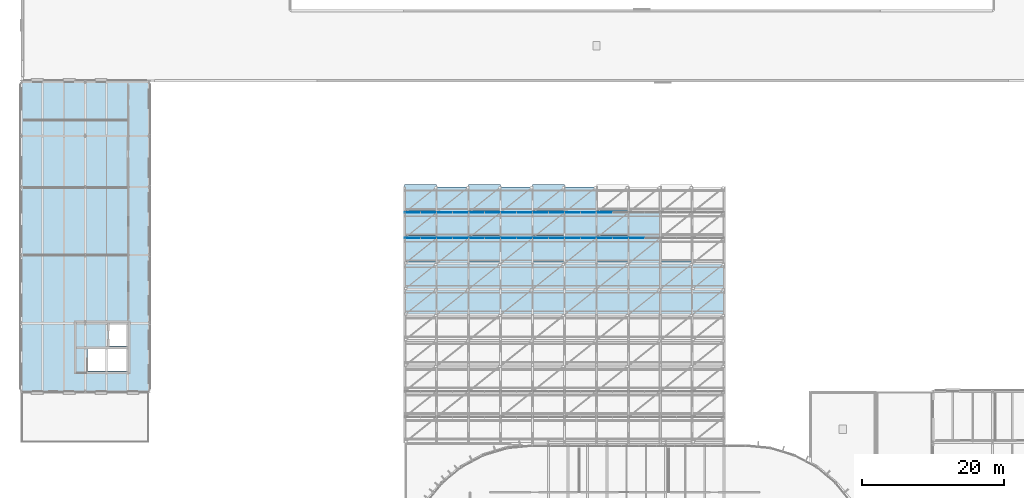
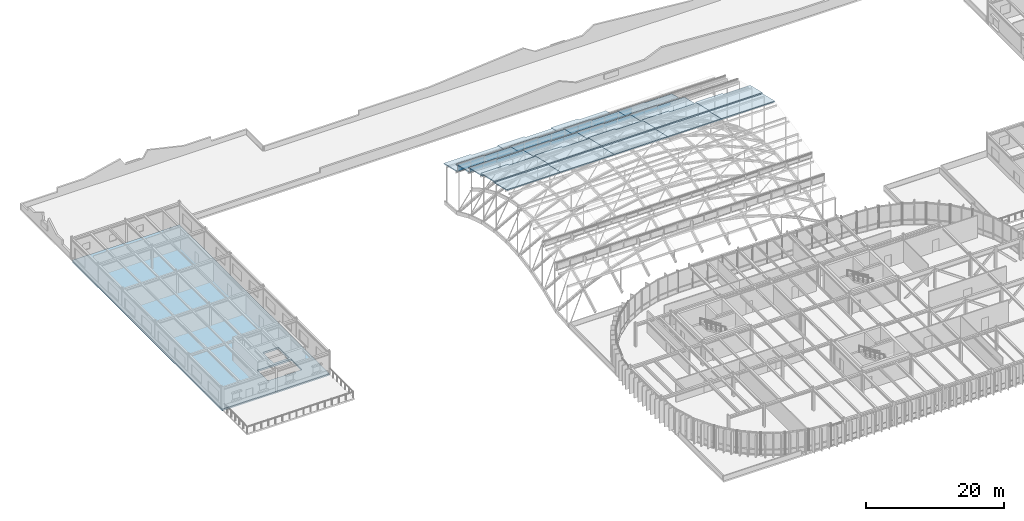
# One storey, part 47 of 69: 28 plates, 22 slabs, 2 openings, 9 elements without a shape of their own.
"""IFC4 building model written with IfcOpenShell, lengths in metres."""

import ifcopenshell
import ifcopenshell.guid

model = None  # the IFC model being written
_history = None  # IfcOwnerHistory: only IFC2X3 demands one
_inside = {}  # id of a spatial element -> (the spatial element, [elements in it])
_under = {}  # id of a project, library or spatial element -> (it, [spatial elements below it])
_declared = {}  # id of a project -> (the project, [libraries it declares])
_typed = {}  # id of a type object -> (the type object, [elements of that type])
_made_of = {}  # id of a material, layer set ... -> (it, [elements and type objects made of it])


def new_model(schema):
    """Start an empty IFC model of exactly this schema.

    Asked for "IFC4X3", IfcOpenShell would pick the latest addendum, in which some entities
    have other attributes; the version numbers below select the first issue.
    IFC2X3 requires an IfcOwnerHistory on every rooted entity: one is made here for all.
    """
    global model, _history
    if schema == "IFC4X3":
        model = ifcopenshell.file(schema_version=(4, 3, 0, 0))
    else:
        model = ifcopenshell.file(schema=schema)
    _inside.clear()
    _under.clear()
    _declared.clear()
    _typed.clear()
    _made_of.clear()
    _history = None
    if model.schema == "IFC2X3":
        org = make("IfcOrganization", Name="unknown")
        user = make(
            "IfcPersonAndOrganization",
            ThePerson=make("IfcPerson", FamilyName="unknown"),
            TheOrganization=org,
        )
        app = make(
            "IfcApplication",
            ApplicationDeveloper=org,
            Version="unknown",
            ApplicationFullName="unknown",
            ApplicationIdentifier="unknown",
        )
        _history = make(
            "IfcOwnerHistory",
            OwningUser=user,
            OwningApplication=app,
            ChangeAction="ADDED",
            CreationDate=0,
        )
    return model


def make(cls, **values):
    """One entity of the class cls with the attributes given. An attribute that is None is left unset."""
    return model.create_entity(
        cls, **{name: value for name, value in values.items() if value is not None}
    )


def rooted(cls, **values):
    """An entity with a GlobalId (a new one), such as an element, a storey or a relation."""
    return make(cls, GlobalId=ifcopenshell.guid.new(), OwnerHistory=_history, **values)


def si_unit(unit_type, name, prefix=None):
    """IfcSIUnit, for example si_unit("LENGTHUNIT", "METRE", prefix="MILLI")."""
    return make("IfcSIUnit", UnitType=unit_type, Prefix=prefix, Name=name)


def assignment(units):
    """IfcUnitAssignment: the units of a project."""
    return None if units is None else make("IfcUnitAssignment", Units=units)


def point(xyz):
    """IfcCartesianPoint."""
    return None if xyz is None else make("IfcCartesianPoint", Coordinates=xyz)


def direction(xyz):
    """IfcDirection."""
    return None if xyz is None else make("IfcDirection", DirectionRatios=xyz)


def frame(location, z_axis=None, x_axis=None):
    """IfcAxis2Placement3D, a coordinate frame: its origin and axes. An axis left out is left unset."""
    return make(
        "IfcAxis2Placement3D",
        Location=point(location),
        Axis=direction(z_axis),
        RefDirection=direction(x_axis),
    )


def frame_2d(location, x_axis=None):
    """IfcAxis2Placement2D, a coordinate frame in the plane: its origin and x axis."""
    return make(
        "IfcAxis2Placement2D", Location=point(location), RefDirection=direction(x_axis)
    )


def origin():
    """The frame at (0, 0, 0) with its axes left unset."""
    return frame((0.0, 0.0, 0.0))


def origin_2d():
    """The frame at (0, 0) in the plane with its x axis left unset."""
    return frame_2d((0.0, 0.0))


def place(relative_to, where):
    """IfcLocalPlacement: puts the frame where relative to a parent placement (None: the world)."""
    return make(
        "IfcLocalPlacement", PlacementRelTo=relative_to, RelativePlacement=where
    )


def context(
    kind, dimensions, precision=None, world=None, true_north=None, identifier=None
):
    """IfcGeometricRepresentationContext, for example the 3D "Model" context."""
    return make(
        "IfcGeometricRepresentationContext",
        ContextIdentifier=identifier,
        ContextType=kind,
        CoordinateSpaceDimension=dimensions,
        Precision=precision,
        WorldCoordinateSystem=world,
        TrueNorth=true_north,
    )


def subcontext(parent, identifier, kind, view, scale=None):
    """IfcGeometricRepresentationSubContext, for example "Body" below "Model"."""
    return make(
        "IfcGeometricRepresentationSubContext",
        ContextIdentifier=identifier,
        ContextType=kind,
        ParentContext=parent,
        TargetScale=scale,
        TargetView=view,
    )


def project(units=None, contexts=None):
    """IfcProject with its units and contexts."""
    return rooted(
        "IfcProject",
        Name="project",
        RepresentationContexts=contexts,
        UnitsInContext=assignment(units),
    )


def spatial(cls, under=None, at=None, **own):
    """A site, building, storey or space (cls), placed at a placement, below another one or the project."""
    s = rooted(cls, ObjectPlacement=at, **own)
    if under is not None:
        _under.setdefault(under.id(), (under, []))[1].append(s)
    return s


def polyline(points):
    """IfcPolyline through the points."""
    return make("IfcPolyline", Points=[point(p) for p in points])


def profile(cls, at=None, kind="AREA", **sizes):
    """A parametric profile (cls). Its sizes go by their IFC names, for example OverallWidth=200.0."""
    return make(cls, ProfileType=kind, Position=at, **sizes)


def rectangle(**sizes):
    """IfcRectangleProfileDef."""
    return profile("IfcRectangleProfileDef", **sizes)


def outline(outer, holes=None, kind="AREA"):
    """IfcArbitraryClosedProfileDef: a profile drawn as a closed curve; with holes, ...WithVoids."""
    if holes is None:
        return make("IfcArbitraryClosedProfileDef", ProfileType=kind, OuterCurve=outer)
    return make(
        "IfcArbitraryProfileDefWithVoids",
        ProfileType=kind,
        OuterCurve=outer,
        InnerCurves=holes,
    )


def extrude(swept, where, along, depth):
    """IfcExtrudedAreaSolid: the profile swept, set in the frame where, extruded along a direction by depth."""
    return make(
        "IfcExtrudedAreaSolid",
        SweptArea=swept,
        Position=where,
        ExtrudedDirection=direction(along),
        Depth=depth,
    )


def shape(context_of_items, identifier, shape_type, items):
    """IfcShapeRepresentation: the items that make up one representation, for example the "Body"."""
    return make(
        "IfcShapeRepresentation",
        ContextOfItems=context_of_items,
        RepresentationIdentifier=identifier,
        RepresentationType=shape_type,
        Items=items,
    )


def material(Name=None, Category=None):
    """IfcMaterial."""
    return make("IfcMaterial", Name=Name, Category=Category)


def layer(
    of_material, thickness, ventilated=None, Name=None, Category=None, Priority=None
):
    """IfcMaterialLayer: one layer of a wall or slab, of a material (None: an air gap)."""
    return make(
        "IfcMaterialLayer",
        Material=of_material,
        LayerThickness=thickness,
        IsVentilated=ventilated,
        Name=Name,
        Category=Category,
        Priority=Priority,
    )


def layer_set(layers, Name=None):
    """IfcMaterialLayerSet."""
    return make("IfcMaterialLayerSet", MaterialLayers=layers, LayerSetName=Name)


def made_of(thing, what):
    """Note that an element or type object is made of a material, layer set ...; save() writes the relation."""
    if what is not None:
        _made_of.setdefault(what.id(), (what, []))[1].append(thing)
    return thing


def type_object(cls, material=None, **own):
    """A type object (cls), such as IfcWallType, which elements share."""
    return made_of(rooted(cls, **own), material)


def element(
    cls,
    number,
    at=None,
    inside=None,
    cuts=None,
    type_object=None,
    material=None,
    context=None,
    identifier="Body",
    shape_type=None,
    held_by="IfcProductDefinitionShape",
    body=None,
    shapes=None,
    **own,
):
    """One element of the class cls, such as IfcWall. Its Tag is "e" and its number.

    at: its placement. inside: the storey or other place that contains it. cuts: it is an
    opening in that element (IfcRelVoidsElement). A single representation is given by context,
    identifier, shape_type and body (its items); several are given by shapes. held_by: the class
    of the entity that holds the representations. save() writes the other relations.
    """
    e = rooted(cls, Tag="e%d" % number, ObjectPlacement=at, **own)
    if body is not None:
        shapes = [shape(context, identifier, shape_type, body)]
    if shapes is not None:
        e.Representation = make(held_by, Representations=shapes)
    if inside is not None:
        _inside.setdefault(inside.id(), (inside, []))[1].append(e)
    if cuts is not None:
        rooted(
            "IfcRelVoidsElement", RelatingBuildingElement=cuts, RelatedOpeningElement=e
        )
    if type_object is not None:
        _typed.setdefault(type_object.id(), (type_object, []))[1].append(e)
    return made_of(e, material)


def aggregate(whole, parts):
    """IfcRelAggregates: a whole, such as a stair, and the parts it consists of."""
    return rooted("IfcRelAggregates", RelatingObject=whole, RelatedObjects=parts)


def save(model, path):
    """Write the relations noted so far, then the file.

    IfcRelAggregates (storeys below a building ...), IfcRelContainedInSpatialStructure (elements
    in a storey), IfcRelDefinesByType, IfcRelAssociatesMaterial and IfcRelDeclares: one each for
    every whole, place, type object, material and project.
    """
    for whole, parts in _under.values():
        aggregate(whole, parts)
    for where, things in _inside.values():
        rooted(
            "IfcRelContainedInSpatialStructure",
            RelatedElements=things,
            RelatingStructure=where,
        )
    for kind, things in _typed.values():
        rooted("IfcRelDefinesByType", RelatedObjects=things, RelatingType=kind)
    for what, things in _made_of.values():
        rooted("IfcRelAssociatesMaterial", RelatedObjects=things, RelatingMaterial=what)
    for by, libraries in _declared.values():
        rooted("IfcRelDeclares", RelatingContext=by, RelatedDefinitions=libraries)
    model.write(path)


model = new_model("IFC4")

# Units and contexts
model_context = context("Model", 3, precision=1e-05, world=origin(), true_north=direction((0.0, 1.0)))
body_context = subcontext(model_context, "Body", "Model", "MODEL_VIEW")
ifc_project = project(units=[si_unit("LENGTHUNIT", "METRE"), si_unit("AREAUNIT", "SQUARE_METRE"), si_unit("VOLUMEUNIT", "CUBIC_METRE"), si_unit("PLANEANGLEUNIT", "RADIAN"), si_unit("MASSUNIT", "GRAM", prefix="KILO")], contexts=[model_context])

# Site, building, storey
site_placement = place(None, origin())
site = spatial("IfcSite", under=ifc_project, at=site_placement, CompositionType="ELEMENT")
building_placement = place(site_placement, origin())
building = spatial("IfcBuilding", under=site, at=building_placement, Name="Montealbar Specialist Clinic", CompositionType="ELEMENT")
storey_placement = place(building_placement, frame((0.0, 0.0, 9.60009765625)))
storey = spatial("IfcBuildingStorey", under=building, at=storey_placement, Name="L02", CompositionType="ELEMENT", Elevation=9.60009765625)

# Curtain wall, plates
ifc_material_1 = material(Name="Low-E double glazing", Category="glass")
ifc_layer_1 = layer(ifc_material_1, 0.199951171875, Name="Low-E double glazing", Category="glass")
ifc_layer_set_1 = layer_set([ifc_layer_1], Name="Low-E double glazing")
curtain_wall_type_1 = type_object("IfcCurtainWallType", Name="CW-TYPE-48", PredefinedType="NOTDEFINED", material=ifc_layer_set_1)
curtain_wall_1_placement = place(storey_placement, origin())
curtain_wall_1 = element("IfcCurtainWall", 1, at=curtain_wall_1_placement, inside=storey, type_object=curtain_wall_type_1, Name="Unitised Curtain Wall CW-L02-540-738-630-738-196", PredefinedType="NOTDEFINED")
ifc_layer_2 = layer(ifc_material_1, 0.028076171875, Name="Low-E double glazing", Category="glass")
ifc_layer_set_2 = layer_set([ifc_layer_2], Name="Low-E double glazing")
plate_type = type_object("IfcPlateType", Name="CW-PNL-IGU28", PredefinedType="CURTAIN_PANEL", material=ifc_layer_set_2)
plate_1_placement = place(storey_placement, frame((55.125, 73.800048828125, 10.044921875), z_axis=(0.0, 0.0, 1.0), x_axis=(1.0, 0.0, 0.0)))
plate_1 = element("IfcPlate", 2, at=plate_1_placement, type_object=plate_type, Name="Glazed Curtain Panel CW-L02-540-738-630-738-196-1-1", PredefinedType="CURTAIN_PANEL", context=body_context, shape_type="SweptSolid", body=[
    extrude(rectangle(XDim=2.177978515625, YDim=0.028076171875, at=origin_2d()), origin(), (0.0, 0.0, 1.0), 0.6640625),
])
plate_2_placement = place(storey_placement, frame((57.375, 73.800048828125, 10.044921875), z_axis=(0.0, 0.0, 1.0), x_axis=(1.0, 0.0, 0.0)))
plate_2 = element("IfcPlate", 3, at=plate_2_placement, type_object=plate_type, Name="Glazed Curtain Panel CW-L02-540-738-630-738-196-2-1", PredefinedType="CURTAIN_PANEL", context=body_context, shape_type="SweptSolid", body=[
    extrude(rectangle(XDim=2.177978515625, YDim=0.028076171875, at=origin_2d()), origin(), (0.0, 0.0, 1.0), 0.6640625),
])
plate_3_placement = place(storey_placement, frame((59.625, 73.800048828125, 10.044921875), z_axis=(0.0, 0.0, 1.0), x_axis=(1.0, 0.0, 0.0)))
plate_3 = element("IfcPlate", 4, at=plate_3_placement, type_object=plate_type, Name="Glazed Curtain Panel CW-L02-540-738-630-738-196-3-1", PredefinedType="CURTAIN_PANEL", context=body_context, shape_type="SweptSolid", body=[
    extrude(rectangle(XDim=2.177978515625, YDim=0.028076171875, at=origin_2d()), origin(), (0.0, 0.0, 1.0), 0.6640625),
])
plate_4_placement = place(storey_placement, frame((61.875, 73.800048828125, 10.044921875), z_axis=(0.0, 0.0, 1.0), x_axis=(1.0, 0.0, 0.0)))
plate_4 = element("IfcPlate", 5, at=plate_4_placement, type_object=plate_type, Name="Glazed Curtain Panel CW-L02-540-738-630-738-196-4-1", PredefinedType="CURTAIN_PANEL", context=body_context, shape_type="SweptSolid", body=[
    extrude(rectangle(XDim=2.177978515625, YDim=0.028076171875, at=origin_2d()), origin(), (0.0, 0.0, 1.0), 0.6640625),
])
aggregate(curtain_wall_1, [plate_1, plate_2, plate_3, plate_4])

curtain_wall_2_placement = place(storey_placement, origin())
curtain_wall_2 = element("IfcCurtainWall", 6, at=curtain_wall_2_placement, inside=storey, type_object=curtain_wall_type_1, Name="Unitised Curtain Wall CW-L02-630-738-720-738-196", PredefinedType="NOTDEFINED")
plate_5_placement = place(storey_placement, frame((64.125, 73.800048828125, 10.044921875), z_axis=(0.0, 0.0, 1.0), x_axis=(1.0, 0.0, 0.0)))
plate_5 = element("IfcPlate", 7, at=plate_5_placement, type_object=plate_type, Name="Glazed Curtain Panel CW-L02-630-738-720-738-196-1-1", PredefinedType="CURTAIN_PANEL", context=body_context, shape_type="SweptSolid", body=[
    extrude(rectangle(XDim=2.177978515625, YDim=0.028076171875, at=origin_2d()), origin(), (0.0, 0.0, 1.0), 0.6640625),
])
plate_6_placement = place(storey_placement, frame((66.375, 73.800048828125, 10.044921875), z_axis=(0.0, 0.0, 1.0), x_axis=(1.0, 0.0, 0.0)))
plate_6 = element("IfcPlate", 8, at=plate_6_placement, type_object=plate_type, Name="Glazed Curtain Panel CW-L02-630-738-720-738-196-2-1", PredefinedType="CURTAIN_PANEL", context=body_context, shape_type="SweptSolid", body=[
    extrude(rectangle(XDim=2.177978515625, YDim=0.028076171875, at=origin_2d()), origin(), (0.0, 0.0, 1.0), 0.6640625),
])
plate_7_placement = place(storey_placement, frame((68.625, 73.800048828125, 10.044921875), z_axis=(0.0, 0.0, 1.0), x_axis=(1.0, 0.0, 0.0)))
plate_7 = element("IfcPlate", 9, at=plate_7_placement, type_object=plate_type, Name="Glazed Curtain Panel CW-L02-630-738-720-738-196-3-1", PredefinedType="CURTAIN_PANEL", context=body_context, shape_type="SweptSolid", body=[
    extrude(rectangle(XDim=2.177978515625, YDim=0.028076171875, at=origin_2d()), origin(), (0.0, 0.0, 1.0), 0.6640625),
])
plate_8_placement = place(storey_placement, frame((70.875, 73.800048828125, 10.044921875), z_axis=(0.0, 0.0, 1.0), x_axis=(1.0, 0.0, 0.0)))
plate_8 = element("IfcPlate", 10, at=plate_8_placement, type_object=plate_type, Name="Glazed Curtain Panel CW-L02-630-738-720-738-196-4-1", PredefinedType="CURTAIN_PANEL", context=body_context, shape_type="SweptSolid", body=[
    extrude(rectangle(XDim=2.177978515625, YDim=0.028076171875, at=origin_2d()), origin(), (0.0, 0.0, 1.0), 0.6640625),
])
aggregate(curtain_wall_2, [plate_5, plate_6, plate_7, plate_8])

curtain_wall_3_placement = place(storey_placement, origin())
curtain_wall_3 = element("IfcCurtainWall", 11, at=curtain_wall_3_placement, inside=storey, type_object=curtain_wall_type_1, Name="Unitised Curtain Wall CW-L02-720-738-810-738-196", PredefinedType="NOTDEFINED")
plate_9_placement = place(storey_placement, frame((73.125, 73.800048828125, 10.044921875), z_axis=(0.0, 0.0, 1.0), x_axis=(1.0, 0.0, 0.0)))
plate_9 = element("IfcPlate", 12, at=plate_9_placement, type_object=plate_type, Name="Glazed Curtain Panel CW-L02-720-738-810-738-196-1-1", PredefinedType="CURTAIN_PANEL", context=body_context, shape_type="SweptSolid", body=[
    extrude(rectangle(XDim=2.177978515625, YDim=0.028076171875, at=origin_2d()), origin(), (0.0, 0.0, 1.0), 0.6640625),
])
plate_10_placement = place(storey_placement, frame((75.375, 73.800048828125, 10.044921875), z_axis=(0.0, 0.0, 1.0), x_axis=(1.0, 0.0, 0.0)))
plate_10 = element("IfcPlate", 13, at=plate_10_placement, type_object=plate_type, Name="Glazed Curtain Panel CW-L02-720-738-810-738-196-2-1", PredefinedType="CURTAIN_PANEL", context=body_context, shape_type="SweptSolid", body=[
    extrude(rectangle(XDim=2.177978515625, YDim=0.028076171875, at=origin_2d()), origin(), (0.0, 0.0, 1.0), 0.6640625),
])
plate_11_placement = place(storey_placement, frame((77.625, 73.800048828125, 10.044921875), z_axis=(0.0, 0.0, 1.0), x_axis=(1.0, 0.0, 0.0)))
plate_11 = element("IfcPlate", 14, at=plate_11_placement, type_object=plate_type, Name="Glazed Curtain Panel CW-L02-720-738-810-738-196-3-1", PredefinedType="CURTAIN_PANEL", context=body_context, shape_type="SweptSolid", body=[
    extrude(rectangle(XDim=2.177978515625, YDim=0.028076171875, at=origin_2d()), origin(), (0.0, 0.0, 1.0), 0.6640625),
])
plate_12_placement = place(storey_placement, frame((79.875, 73.800048828125, 10.044921875), z_axis=(0.0, 0.0, 1.0), x_axis=(1.0, 0.0, 0.0)))
plate_12 = element("IfcPlate", 15, at=plate_12_placement, type_object=plate_type, Name="Glazed Curtain Panel CW-L02-720-738-810-738-196-4-1", PredefinedType="CURTAIN_PANEL", context=body_context, shape_type="SweptSolid", body=[
    extrude(rectangle(XDim=2.177978515625, YDim=0.028076171875, at=origin_2d()), origin(), (0.0, 0.0, 1.0), 0.6640625),
])
aggregate(curtain_wall_3, [plate_9, plate_10, plate_11, plate_12])

curtain_wall_4_placement = place(storey_placement, origin())
curtain_wall_4 = element("IfcCurtainWall", 16, at=curtain_wall_4_placement, inside=storey, type_object=curtain_wall_type_1, Name="Unitised Curtain Wall CW-L02-810-738-900-738-196", PredefinedType="NOTDEFINED")
plate_13_placement = place(storey_placement, frame((82.125, 73.800048828125, 10.044921875), z_axis=(0.0, 0.0, 1.0), x_axis=(1.0, 0.0, 0.0)))
plate_13 = element("IfcPlate", 17, at=plate_13_placement, type_object=plate_type, Name="Glazed Curtain Panel CW-L02-810-738-900-738-196-1-1", PredefinedType="CURTAIN_PANEL", context=body_context, shape_type="SweptSolid", body=[
    extrude(rectangle(XDim=2.177978515625, YDim=0.028076171875, at=origin_2d()), origin(), (0.0, 0.0, 1.0), 0.6640625),
])
plate_14_placement = place(storey_placement, frame((84.375, 73.800048828125, 10.044921875), z_axis=(0.0, 0.0, 1.0), x_axis=(1.0, 0.0, 0.0)))
plate_14 = element("IfcPlate", 18, at=plate_14_placement, type_object=plate_type, Name="Glazed Curtain Panel CW-L02-810-738-900-738-196-2-1", PredefinedType="CURTAIN_PANEL", context=body_context, shape_type="SweptSolid", body=[
    extrude(rectangle(XDim=2.177978515625, YDim=0.028076171875, at=origin_2d()), origin(), (0.0, 0.0, 1.0), 0.6640625),
])
plate_15_placement = place(storey_placement, frame((86.625, 73.800048828125, 10.044921875), z_axis=(0.0, 0.0, 1.0), x_axis=(1.0, 0.0, 0.0)))
plate_15 = element("IfcPlate", 19, at=plate_15_placement, type_object=plate_type, Name="Glazed Curtain Panel CW-L02-810-738-900-738-196-3-1", PredefinedType="CURTAIN_PANEL", context=body_context, shape_type="SweptSolid", body=[
    extrude(rectangle(XDim=2.177978515625, YDim=0.028076171875, at=origin_2d()), origin(), (0.0, 0.0, 1.0), 0.6640625),
])
aggregate(curtain_wall_4, [plate_13, plate_14, plate_15])

ifc_layer_3 = layer(ifc_material_1, 0.199951171875, Name="Low-E double glazing", Category="glass")
ifc_layer_set_3 = layer_set([ifc_layer_3], Name="Low-E double glazing")
curtain_wall_type_2 = type_object("IfcCurtainWallType", Name="CW-TYPE-47", PredefinedType="NOTDEFINED", material=ifc_layer_set_3)
curtain_wall_5_placement = place(storey_placement, origin())
curtain_wall_5 = element("IfcCurtainWall", 20, at=curtain_wall_5_placement, inside=storey, type_object=curtain_wall_type_2, Name="Unitised Curtain Wall CW-L02-540-774-630-774-175", PredefinedType="NOTDEFINED")
plate_16_placement = place(storey_placement, frame((55.125, 77.39990234375, 8.00439453125), z_axis=(0.0, 0.0, 1.0), x_axis=(1.0, 0.0, 0.0)))
plate_16 = element("IfcPlate", 21, at=plate_16_placement, type_object=plate_type, Name="Glazed Curtain Panel CW-L02-540-774-630-774-175-1-1", PredefinedType="CURTAIN_PANEL", context=body_context, shape_type="SweptSolid", body=[
    extrude(rectangle(XDim=2.177978515625, YDim=0.028076171875, at=origin_2d()), origin(), (0.0, 0.0, 1.0), 1.116943359375),
])
plate_17_placement = place(storey_placement, frame((57.375, 77.39990234375, 8.00439453125), z_axis=(0.0, 0.0, 1.0), x_axis=(1.0, 0.0, 0.0)))
plate_17 = element("IfcPlate", 22, at=plate_17_placement, type_object=plate_type, Name="Glazed Curtain Panel CW-L02-540-774-630-774-175-2-1", PredefinedType="CURTAIN_PANEL", context=body_context, shape_type="SweptSolid", body=[
    extrude(rectangle(XDim=2.177978515625, YDim=0.028076171875, at=origin_2d()), origin(), (0.0, 0.0, 1.0), 1.116943359375),
])
plate_18_placement = place(storey_placement, frame((59.625, 77.39990234375, 8.00439453125), z_axis=(0.0, 0.0, 1.0), x_axis=(1.0, 0.0, 0.0)))
plate_18 = element("IfcPlate", 23, at=plate_18_placement, type_object=plate_type, Name="Glazed Curtain Panel CW-L02-540-774-630-774-175-3-1", PredefinedType="CURTAIN_PANEL", context=body_context, shape_type="SweptSolid", body=[
    extrude(rectangle(XDim=2.177978515625, YDim=0.028076171875, at=origin_2d()), origin(), (0.0, 0.0, 1.0), 1.116943359375),
])
plate_19_placement = place(storey_placement, frame((61.875, 77.39990234375, 8.00439453125), z_axis=(0.0, 0.0, 1.0), x_axis=(1.0, 0.0, 0.0)))
plate_19 = element("IfcPlate", 24, at=plate_19_placement, type_object=plate_type, Name="Glazed Curtain Panel CW-L02-540-774-630-774-175-4-1", PredefinedType="CURTAIN_PANEL", context=body_context, shape_type="SweptSolid", body=[
    extrude(rectangle(XDim=2.177978515625, YDim=0.028076171875, at=origin_2d()), origin(), (0.0, 0.0, 1.0), 1.116943359375),
])
aggregate(curtain_wall_5, [plate_16, plate_17, plate_18, plate_19])

curtain_wall_6_placement = place(storey_placement, origin())
curtain_wall_6 = element("IfcCurtainWall", 25, at=curtain_wall_6_placement, inside=storey, type_object=curtain_wall_type_2, Name="Unitised Curtain Wall CW-L02-630-774-720-774-175", PredefinedType="NOTDEFINED")
plate_20_placement = place(storey_placement, frame((64.125, 77.39990234375, 8.00439453125), z_axis=(0.0, 0.0, 1.0), x_axis=(1.0, 0.0, 0.0)))
plate_20 = element("IfcPlate", 26, at=plate_20_placement, type_object=plate_type, Name="Glazed Curtain Panel CW-L02-630-774-720-774-175-1-1", PredefinedType="CURTAIN_PANEL", context=body_context, shape_type="SweptSolid", body=[
    extrude(rectangle(XDim=2.177978515625, YDim=0.028076171875, at=origin_2d()), origin(), (0.0, 0.0, 1.0), 1.116943359375),
])
plate_21_placement = place(storey_placement, frame((66.375, 77.39990234375, 8.00439453125), z_axis=(0.0, 0.0, 1.0), x_axis=(1.0, 0.0, 0.0)))
plate_21 = element("IfcPlate", 27, at=plate_21_placement, type_object=plate_type, Name="Glazed Curtain Panel CW-L02-630-774-720-774-175-2-1", PredefinedType="CURTAIN_PANEL", context=body_context, shape_type="SweptSolid", body=[
    extrude(rectangle(XDim=2.177978515625, YDim=0.028076171875, at=origin_2d()), origin(), (0.0, 0.0, 1.0), 1.116943359375),
])
plate_22_placement = place(storey_placement, frame((68.625, 77.39990234375, 8.00439453125), z_axis=(0.0, 0.0, 1.0), x_axis=(1.0, 0.0, 0.0)))
plate_22 = element("IfcPlate", 28, at=plate_22_placement, type_object=plate_type, Name="Glazed Curtain Panel CW-L02-630-774-720-774-175-3-1", PredefinedType="CURTAIN_PANEL", context=body_context, shape_type="SweptSolid", body=[
    extrude(rectangle(XDim=2.177978515625, YDim=0.028076171875, at=origin_2d()), origin(), (0.0, 0.0, 1.0), 1.116943359375),
])
plate_23_placement = place(storey_placement, frame((70.875, 77.39990234375, 8.00439453125), z_axis=(0.0, 0.0, 1.0), x_axis=(1.0, 0.0, 0.0)))
plate_23 = element("IfcPlate", 29, at=plate_23_placement, type_object=plate_type, Name="Glazed Curtain Panel CW-L02-630-774-720-774-175-4-1", PredefinedType="CURTAIN_PANEL", context=body_context, shape_type="SweptSolid", body=[
    extrude(rectangle(XDim=2.177978515625, YDim=0.028076171875, at=origin_2d()), origin(), (0.0, 0.0, 1.0), 1.116943359375),
])
aggregate(curtain_wall_6, [plate_20, plate_21, plate_22, plate_23])

curtain_wall_7_placement = place(storey_placement, origin())
curtain_wall_7 = element("IfcCurtainWall", 30, at=curtain_wall_7_placement, inside=storey, type_object=curtain_wall_type_2, Name="Unitised Curtain Wall CW-L02-720-774-810-774-175", PredefinedType="NOTDEFINED")
plate_24_placement = place(storey_placement, frame((73.125, 77.39990234375, 8.00439453125), z_axis=(0.0, 0.0, 1.0), x_axis=(1.0, 0.0, 0.0)))
plate_24 = element("IfcPlate", 31, at=plate_24_placement, type_object=plate_type, Name="Glazed Curtain Panel CW-L02-720-774-810-774-175-1-1", PredefinedType="CURTAIN_PANEL", context=body_context, shape_type="SweptSolid", body=[
    extrude(rectangle(XDim=2.177978515625, YDim=0.028076171875, at=origin_2d()), origin(), (0.0, 0.0, 1.0), 1.116943359375),
])
plate_25_placement = place(storey_placement, frame((75.375, 77.39990234375, 8.00439453125), z_axis=(0.0, 0.0, 1.0), x_axis=(1.0, 0.0, 0.0)))
plate_25 = element("IfcPlate", 32, at=plate_25_placement, type_object=plate_type, Name="Glazed Curtain Panel CW-L02-720-774-810-774-175-2-1", PredefinedType="CURTAIN_PANEL", context=body_context, shape_type="SweptSolid", body=[
    extrude(rectangle(XDim=2.177978515625, YDim=0.028076171875, at=origin_2d()), origin(), (0.0, 0.0, 1.0), 1.116943359375),
])
plate_26_placement = place(storey_placement, frame((77.625, 77.39990234375, 8.00439453125), z_axis=(0.0, 0.0, 1.0), x_axis=(1.0, 0.0, 0.0)))
plate_26 = element("IfcPlate", 33, at=plate_26_placement, type_object=plate_type, Name="Glazed Curtain Panel CW-L02-720-774-810-774-175-3-1", PredefinedType="CURTAIN_PANEL", context=body_context, shape_type="SweptSolid", body=[
    extrude(rectangle(XDim=2.177978515625, YDim=0.028076171875, at=origin_2d()), origin(), (0.0, 0.0, 1.0), 1.116943359375),
])
plate_27_placement = place(storey_placement, frame((79.875, 77.39990234375, 8.00439453125), z_axis=(0.0, 0.0, 1.0), x_axis=(1.0, 0.0, 0.0)))
plate_27 = element("IfcPlate", 34, at=plate_27_placement, type_object=plate_type, Name="Glazed Curtain Panel CW-L02-720-774-810-774-175-4-1", PredefinedType="CURTAIN_PANEL", context=body_context, shape_type="SweptSolid", body=[
    extrude(rectangle(XDim=2.177978515625, YDim=0.028076171875, at=origin_2d()), origin(), (0.0, 0.0, 1.0), 1.116943359375),
])
aggregate(curtain_wall_7, [plate_24, plate_25, plate_26, plate_27])

# Curtain wall, plate
curtain_wall_8_placement = place(storey_placement, origin())
curtain_wall_8 = element("IfcCurtainWall", 35, at=curtain_wall_8_placement, inside=storey, type_object=curtain_wall_type_2, Name="Unitised Curtain Wall CW-L02-810-774-900-774-175", PredefinedType="NOTDEFINED")
plate_28_placement = place(storey_placement, frame((82.125, 77.39990234375, 8.00439453125), z_axis=(0.0, 0.0, 1.0), x_axis=(1.0, 0.0, 0.0)))
plate_28 = element("IfcPlate", 36, at=plate_28_placement, type_object=plate_type, Name="Glazed Curtain Panel CW-L02-810-774-900-774-175-1-1", PredefinedType="CURTAIN_PANEL", context=body_context, shape_type="SweptSolid", body=[
    extrude(rectangle(XDim=2.177978515625, YDim=0.028076171875, at=origin_2d()), origin(), (0.0, 0.0, 1.0), 1.116943359375),
])
aggregate(curtain_wall_8, [plate_28])

# Slab, openings
ifc_material_2 = material(Name="Concrete C35/45", Category="concrete")
ifc_layer_4 = layer(ifc_material_2, 0.320068359375, Name="Concrete C35/45", Category="concrete")
ifc_layer_set_4 = layer_set([ifc_layer_4], Name="Concrete C35/45")
slab_type_1 = type_object("IfcSlabType", Name="SL-FLR-280", PredefinedType="FLOOR", material=ifc_layer_set_4)
slab_1_placement = place(storey_placement, frame((0.0, 0.0, -0.320068359375)))
slab_1 = element("IfcSlab", 37, at=slab_1_placement, inside=storey, type_object=slab_type_1, Name="Structural Slab L02 Wing 3", PredefinedType="FLOOR", context=body_context, shape_type="SweptSolid", body=[
    extrude(outline(polyline([(18.0, 52.199951171875), (0.0, 52.199951171875), (0.0, 95.800048828125), (18.0, 95.800048828125), (18.0, 52.199951171875)]), holes=[polyline([(15.050048828125, 58.199951171875), (9.35009765625, 58.199951171875), (9.35009765625, 55.10009765625), (15.050048828125, 55.10009765625), (15.050048828125, 58.199951171875)]), polyline([(14.902099609375, 61.701904296875), (12.298095703125, 61.701904296875), (12.298095703125, 58.597900390625), (14.902099609375, 58.597900390625), (14.902099609375, 61.701904296875)])]), origin(), (0.0, 0.0, 1.0), 0.320068359375),
])
opening_1_placement = place(slab_1_placement, frame((12.2001953125, 56.64990234375, -0.010009765625)))
element("IfcOpeningElement", 38, at=opening_1_placement, cuts=slab_1, Name="Opening STAIRVOID-C1-L02-1", PredefinedType="OPENING", context=body_context, shape_type="SweptSolid", body=[
    extrude(rectangle(XDim=5.696044921875, YDim=3.095947265625, at=origin_2d()), origin(), (0.0, 0.0, 1.0), 0.340087890625),
])
opening_2_placement = place(slab_1_placement, frame((13.60009765625, 60.14990234375, -0.010009765625)))
element("IfcOpeningElement", 39, at=opening_2_placement, cuts=slab_1, Name="Opening LIFTSHAFT-LF-01-L02", PredefinedType="OPENING", context=body_context, shape_type="SweptSolid", body=[
    extrude(rectangle(XDim=2.60009765625, YDim=3.10009765625, at=origin_2d()), origin(), (0.0, 0.0, 1.0), 0.340087890625),
])

# Roof, slabs
ifc_material_3 = material(Name="Glulam GL28h", Category="wood")
roof_type = type_object("IfcRoofType", Name="ROOF-GRIDSHELL", PredefinedType="BARREL_ROOF", material=ifc_material_3)
roof_placement = place(storey_placement, origin())
roof = element("IfcRoof", 40, at=roof_placement, inside=storey, type_object=roof_type, Name="Treatment Hall translational gridshell barrel vault roof", PredefinedType="BARREL_ROOF")
ifc_material_4 = material(Name="Precast concrete C40/50", Category="concrete")
ifc_layer_5 = layer(ifc_material_4, 0.159912109375, Name="Precast concrete C40/50", Category="concrete")
ifc_layer_set_5 = layer_set([ifc_layer_5], Name="Precast concrete C40/50")
slab_type_2 = type_object("IfcSlabType", Name="SL-ROOF-160", PredefinedType="ROOF", material=ifc_layer_set_5)
slab_2_placement = place(storey_placement, frame((54.0, 63.0, 13.456787109375), z_axis=(8.240752e-06, 0.233288625861, 0.972407536466), x_axis=(0.999999999966, -1.922474e-06, -8.013369e-06)))
slab_2 = element("IfcSlab", 41, at=slab_2_placement, type_object=slab_type_2, Name="Gridshell Sloped Roof Panel 6-1", PredefinedType="ROOF", context=body_context, shape_type="SweptSolid", body=[
    extrude(outline(polyline([(0.0, 0.0), (8.999999999694406, 3.8116482626443515e-21), (9.000000000305596, 3.702269700082894), (4.500000000458393, 3.702269700082894), (4.499999999236014, 4.072308663396214), (-6.111899073148812e-10, 4.072308663396214), (0.0, 0.0)])), origin(), (0.0, 0.0, -1.0), 0.159912109375),
])
slab_3_placement = place(storey_placement, frame((63.0, 63.0, 13.456787109375), z_axis=(8.240752e-06, 0.233288625861, 0.972407536466), x_axis=(0.999999999966, -1.922474e-06, -8.013369e-06)))
slab_3 = element("IfcSlab", 42, at=slab_3_placement, type_object=slab_type_2, Name="Gridshell Sloped Roof Panel 6-2", PredefinedType="ROOF", context=body_context, shape_type="SweptSolid", body=[
    extrude(outline(polyline([(0.0, 0.0), (8.999999999694406, 3.8116482626443515e-21), (9.000000000305596, 3.702269700082894), (4.500000000458393, 3.702269700082894), (4.499999999236014, 4.072308663396214), (-6.111899073148812e-10, 4.072308663396214), (0.0, 0.0)])), origin(), (0.0, 0.0, -1.0), 0.159912109375),
])
slab_4_placement = place(storey_placement, frame((72.0, 63.0, 13.456787109375), z_axis=(8.240752e-06, 0.233288625861, 0.972407536466), x_axis=(0.999999999966, -1.922474e-06, -8.013369e-06)))
slab_4 = element("IfcSlab", 43, at=slab_4_placement, type_object=slab_type_2, Name="Gridshell Sloped Roof Panel 6-3", PredefinedType="ROOF", context=body_context, shape_type="SweptSolid", body=[
    extrude(outline(polyline([(0.0, 0.0), (8.999999999694406, 3.8116482626443515e-21), (9.000000000305596, 3.702269700082894), (4.500000000458393, 3.702269700082894), (4.499999999236014, 4.072308663396214), (-6.111899073148812e-10, 4.072308663396214), (0.0, 0.0)])), origin(), (0.0, 0.0, -1.0), 0.159912109375),
])
slab_5_placement = place(storey_placement, frame((81.0, 63.0, 13.456787109375), z_axis=(8.240752e-06, 0.233288625861, 0.972407536466), x_axis=(0.999999999966, -1.922474e-06, -8.013369e-06)))
slab_5 = element("IfcSlab", 44, at=slab_5_placement, type_object=slab_type_2, Name="Gridshell Sloped Roof Panel 6-4", PredefinedType="ROOF", context=body_context, shape_type="SweptSolid", body=[
    extrude(outline(polyline([(0.0, 0.0), (8.999999999694406, 3.8116482626443515e-21), (9.000000000305596, 3.702269700082894), (4.500000000458393, 3.702269700082894), (4.499999999236014, 4.072308663396214), (-6.111899073148812e-10, 4.072308663396214), (0.0, 0.0)])), origin(), (0.0, 0.0, -1.0), 0.159912109375),
])
slab_6_placement = place(storey_placement, frame((90.0, 63.0, 13.456787109375), z_axis=(8.240752e-06, 0.233288625861, 0.972407536466), x_axis=(0.999999999966, -1.922474e-06, -8.013369e-06)))
slab_6 = element("IfcSlab", 45, at=slab_6_placement, type_object=slab_type_2, Name="Gridshell Sloped Roof Panel 6-5", PredefinedType="ROOF", context=body_context, shape_type="SweptSolid", body=[
    extrude(outline(polyline([(0.0, 0.0), (8.999999999694406, 3.8116482626443515e-21), (9.000000000305596, 3.702269700082894), (4.500000000458393, 3.702269700082894), (4.499999999236014, 4.072308663396214), (-6.111899073148812e-10, 4.072308663396214), (0.0, 0.0)])), origin(), (0.0, 0.0, -1.0), 0.159912109375),
])
slab_7_placement = place(storey_placement, frame((54.0, 66.60009765625, 12.77685546875), z_axis=(2.5372802e-05, 0.233325443566, 0.97239870256), x_axis=(0.999999999678, -5.92012e-06, -2.467248e-05)))
slab_7 = element("IfcSlab", 46, at=slab_7_placement, type_object=slab_type_2, Name="Gridshell Sloped Roof Panel 7-1", PredefinedType="ROOF", context=body_context, shape_type="SweptSolid", body=[
    extrude(outline(polyline([(0.0, 0.0), (8.999999997102995, 0.0), (9.000000002897005, 3.702089262429863), (4.50000000434551, 3.702089262429863), (4.499999992757485, 4.07230865766907), (-5.794011813483235e-09, 4.07230865766907), (0.0, 0.0)])), origin(), (0.0, 0.0, -1.0), 0.159912109375),
])
slab_8_placement = place(storey_placement, frame((63.0, 66.60009765625, 12.77685546875), z_axis=(2.5372802e-05, 0.233325443566, 0.97239870256), x_axis=(0.999999999678, -5.92012e-06, -2.467248e-05)))
slab_8 = element("IfcSlab", 47, at=slab_8_placement, type_object=slab_type_2, Name="Gridshell Sloped Roof Panel 7-2", PredefinedType="ROOF", context=body_context, shape_type="SweptSolid", body=[
    extrude(outline(polyline([(0.0, 0.0), (8.999999997102995, 0.0), (9.000000002897005, 3.702089262429863), (4.50000000434551, 3.702089262429863), (4.499999992757485, 4.07230865766907), (-5.794011813483235e-09, 4.07230865766907), (0.0, 0.0)])), origin(), (0.0, 0.0, -1.0), 0.159912109375),
])
slab_9_placement = place(storey_placement, frame((72.0, 66.60009765625, 12.77685546875), z_axis=(2.5372802e-05, 0.233325443566, 0.97239870256), x_axis=(0.999999999678, -5.92012e-06, -2.467248e-05)))
slab_9 = element("IfcSlab", 48, at=slab_9_placement, type_object=slab_type_2, Name="Gridshell Sloped Roof Panel 7-3", PredefinedType="ROOF", context=body_context, shape_type="SweptSolid", body=[
    extrude(outline(polyline([(0.0, 0.0), (8.999999997102995, 0.0), (9.000000002897005, 3.702089262429863), (4.50000000434551, 3.702089262429863), (4.499999992757485, 4.07230865766907), (-5.794011813483235e-09, 4.07230865766907), (0.0, 0.0)])), origin(), (0.0, 0.0, -1.0), 0.159912109375),
])
slab_10_placement = place(storey_placement, frame((81.0, 66.60009765625, 12.77685546875), z_axis=(2.5372802e-05, 0.233325443566, 0.97239870256), x_axis=(0.999999999678, -5.92012e-06, -2.467248e-05)))
slab_10 = element("IfcSlab", 49, at=slab_10_placement, type_object=slab_type_2, Name="Gridshell Sloped Roof Panel 7-4", PredefinedType="ROOF", context=body_context, shape_type="SweptSolid", body=[
    extrude(outline(polyline([(0.0, 0.0), (8.999999997102995, 0.0), (9.000000002897005, 3.702089262429863), (4.50000000434551, 3.702089262429863), (4.499999992757485, 4.07230865766907), (-5.794011813483235e-09, 4.07230865766907), (0.0, 0.0)])), origin(), (0.0, 0.0, -1.0), 0.159912109375),
])
slab_11_placement = place(storey_placement, frame((90.0, 66.60009765625, 12.77685546875), z_axis=(2.5372802e-05, 0.233325443566, 0.97239870256), x_axis=(0.999999999678, -5.92012e-06, -2.467248e-05)))
slab_11 = element("IfcSlab", 50, at=slab_11_placement, type_object=slab_type_2, Name="Gridshell Sloped Roof Panel 7-5", PredefinedType="ROOF", context=body_context, shape_type="SweptSolid", body=[
    extrude(outline(polyline([(0.0, 0.0), (8.999999997102995, 0.0), (9.000000002897005, 3.702089262429863), (4.50000000434551, 3.702089262429863), (4.499999992757485, 4.07230865766907), (-5.794011813483235e-09, 4.07230865766907), (0.0, 0.0)])), origin(), (0.0, 0.0, -1.0), 0.159912109375),
])
slab_12_placement = place(storey_placement, frame((54.0, 70.199951171875, 11.642822265625), z_axis=(2.2057521e-05, 0.23331831888, 0.97240041217), x_axis=(0.999999999757, -5.146424e-06, -2.1448743e-05)))
slab_12 = element("IfcSlab", 51, at=slab_12_placement, type_object=slab_type_2, Name="Gridshell Sloped Roof Panel 8-1", PredefinedType="ROOF", context=body_context, shape_type="SweptSolid", body=[
    extrude(outline(polyline([(0.0, 0.0), (8.999999997810596, 0.0), (9.000000002189404, 3.7023266631017844), (4.500000003284106, 3.7023266631017844), (4.4999999945264895, 4.072308659232904), (-4.3788082904252644e-09, 4.072308659232904), (0.0, 0.0)])), origin(), (0.0, 0.0, -1.0), 0.159912109375),
])
slab_13_placement = place(storey_placement, frame((63.0, 70.199951171875, 11.642822265625), z_axis=(2.2057521e-05, 0.23331831888, 0.97240041217), x_axis=(0.999999999757, -5.146424e-06, -2.1448743e-05)))
slab_13 = element("IfcSlab", 52, at=slab_13_placement, type_object=slab_type_2, Name="Gridshell Sloped Roof Panel 8-2", PredefinedType="ROOF", context=body_context, shape_type="SweptSolid", body=[
    extrude(outline(polyline([(0.0, 0.0), (8.999999997810596, 0.0), (9.000000002189404, 3.7023266631017844), (4.500000003284106, 3.7023266631017844), (4.4999999945264895, 4.072308659232904), (-4.3788082904252644e-09, 4.072308659232904), (0.0, 0.0)])), origin(), (0.0, 0.0, -1.0), 0.159912109375),
])
slab_14_placement = place(storey_placement, frame((72.0, 70.199951171875, 11.642822265625), z_axis=(2.2057521e-05, 0.23331831888, 0.97240041217), x_axis=(0.999999999757, -5.146424e-06, -2.1448743e-05)))
slab_14 = element("IfcSlab", 53, at=slab_14_placement, type_object=slab_type_2, Name="Gridshell Sloped Roof Panel 8-3", PredefinedType="ROOF", context=body_context, shape_type="SweptSolid", body=[
    extrude(outline(polyline([(0.0, 0.0), (8.999999997810596, 0.0), (9.000000002189404, 3.7023266631017844), (4.500000003284106, 3.7023266631017844), (4.4999999945264895, 4.072308659232904), (-4.3788082904252644e-09, 4.072308659232904), (0.0, 0.0)])), origin(), (0.0, 0.0, -1.0), 0.159912109375),
])
slab_15_placement = place(storey_placement, frame((81.0, 70.199951171875, 11.642822265625), z_axis=(2.2057521e-05, 0.23331831888, 0.97240041217), x_axis=(0.999999999757, -5.146424e-06, -2.1448743e-05)))
slab_15 = element("IfcSlab", 54, at=slab_15_placement, type_object=slab_type_2, Name="Gridshell Sloped Roof Panel 8-4", PredefinedType="ROOF", context=body_context, shape_type="SweptSolid", body=[
    extrude(outline(polyline([(0.0, 0.0), (8.999999997810596, 0.0), (9.000000002189404, 3.7023266631017844), (4.500000003284106, 3.7023266631017844), (4.4999999945264895, 4.072308659232904), (-4.3788082904252644e-09, 4.072308659232904), (0.0, 0.0)])), origin(), (0.0, 0.0, -1.0), 0.159912109375),
])
slab_16_placement = place(storey_placement, frame((54.0, 73.800048828125, 10.054931640625), z_axis=(2.5372802e-05, 0.233325443566, 0.97239870256), x_axis=(0.999999999678, -5.92012e-06, -2.467248e-05)))
slab_16 = element("IfcSlab", 55, at=slab_16_placement, type_object=slab_type_2, Name="Gridshell Sloped Roof Panel 9-1", PredefinedType="ROOF", context=body_context, shape_type="SweptSolid", body=[
    extrude(outline(polyline([(0.0, 0.0), (8.999999997102995, 0.0), (9.000000002897005, 3.702089262429863), (4.50000000434551, 3.702089262429863), (4.499999992757485, 4.07230865766907), (-5.794011813483235e-09, 4.07230865766907), (0.0, 0.0)])), origin(), (0.0, 0.0, -1.0), 0.159912109375),
])
slab_17_placement = place(storey_placement, frame((63.0, 73.800048828125, 10.054931640625), z_axis=(2.5372802e-05, 0.233325443566, 0.97239870256), x_axis=(0.999999999678, -5.92012e-06, -2.467248e-05)))
slab_17 = element("IfcSlab", 56, at=slab_17_placement, type_object=slab_type_2, Name="Gridshell Sloped Roof Panel 9-2", PredefinedType="ROOF", context=body_context, shape_type="SweptSolid", body=[
    extrude(outline(polyline([(0.0, 0.0), (8.999999997102995, 0.0), (9.000000002897005, 3.702089262429863), (4.50000000434551, 3.702089262429863), (4.499999992757485, 4.07230865766907), (-5.794011813483235e-09, 4.07230865766907), (0.0, 0.0)])), origin(), (0.0, 0.0, -1.0), 0.159912109375),
])
slab_18_placement = place(storey_placement, frame((72.0, 73.800048828125, 10.054931640625), z_axis=(2.5372802e-05, 0.233325443566, 0.97239870256), x_axis=(0.999999999678, -5.92012e-06, -2.467248e-05)))
slab_18 = element("IfcSlab", 57, at=slab_18_placement, type_object=slab_type_2, Name="Gridshell Sloped Roof Panel 9-3", PredefinedType="ROOF", context=body_context, shape_type="SweptSolid", body=[
    extrude(outline(polyline([(0.0, 0.0), (8.999999997102995, 0.0), (9.000000002897005, 3.702089262429863), (4.50000000434551, 3.702089262429863), (4.499999992757485, 4.07230865766907), (-5.794011813483235e-09, 4.07230865766907), (0.0, 0.0)])), origin(), (0.0, 0.0, -1.0), 0.159912109375),
])
slab_19_placement = place(storey_placement, frame((81.0, 73.800048828125, 10.054931640625), z_axis=(2.5372802e-05, 0.233325443566, 0.97239870256), x_axis=(0.999999999678, -5.92012e-06, -2.467248e-05)))
slab_19 = element("IfcSlab", 58, at=slab_19_placement, type_object=slab_type_2, Name="Gridshell Sloped Roof Panel 9-4", PredefinedType="ROOF", context=body_context, shape_type="SweptSolid", body=[
    extrude(outline(polyline([(0.0, 0.0), (8.999999997102995, 0.0), (9.000000002897005, 3.702089262429863), (4.50000000434551, 3.702089262429863), (4.499999992757485, 4.07230865766907), (-5.794011813483235e-09, 4.07230865766907), (0.0, 0.0)])), origin(), (0.0, 0.0, -1.0), 0.159912109375),
])
slab_20_placement = place(storey_placement, frame((54.0, 77.39990234375, 8.013916015625), z_axis=(2.5071414e-05, 0.233311194581, 0.972402121478), x_axis=(0.999999999686, -5.849442e-06, -2.4379497e-05)))
slab_20 = element("IfcSlab", 59, at=slab_20_placement, type_object=slab_type_2, Name="Gridshell Sloped Roof Panel 10-1", PredefinedType="ROOF", context=body_context, shape_type="SweptSolid", body=[
    extrude(outline(polyline([(0.0, 0.0), (8.99999999717141, 0.0), (9.00000000282859, 3.7023266615479815), (4.500000004242887, 3.7023266615479815), (4.499999992928522, 4.072546063439808), (-5.657182415231334e-09, 4.072546063439808), (0.0, 0.0)])), origin(), (0.0, 0.0, -1.0), 0.159912109375),
])
slab_21_placement = place(storey_placement, frame((63.0, 77.39990234375, 8.013916015625), z_axis=(2.5071414e-05, 0.233311194581, 0.972402121478), x_axis=(0.999999999686, -5.849442e-06, -2.4379497e-05)))
slab_21 = element("IfcSlab", 60, at=slab_21_placement, type_object=slab_type_2, Name="Gridshell Sloped Roof Panel 10-2", PredefinedType="ROOF", context=body_context, shape_type="SweptSolid", body=[
    extrude(outline(polyline([(0.0, 0.0), (8.99999999717141, 0.0), (9.00000000282859, 3.7023266615479815), (4.500000004242887, 3.7023266615479815), (4.499999992928522, 4.072546063439808), (-5.657182415231334e-09, 4.072546063439808), (0.0, 0.0)])), origin(), (0.0, 0.0, -1.0), 0.159912109375),
])
slab_22_placement = place(storey_placement, frame((72.0, 77.39990234375, 8.013916015625), z_axis=(2.5071414e-05, 0.233311194581, 0.972402121478), x_axis=(0.999999999686, -5.849442e-06, -2.4379497e-05)))
slab_22 = element("IfcSlab", 61, at=slab_22_placement, type_object=slab_type_2, Name="Gridshell Sloped Roof Panel 10-3", PredefinedType="ROOF", context=body_context, shape_type="SweptSolid", body=[
    extrude(outline(polyline([(0.0, 0.0), (8.99999999717141, 0.0), (9.00000000282859, 3.7023266615479815), (4.500000004242887, 3.7023266615479815), (4.499999992928522, 4.072546063439808), (-5.657182415231334e-09, 4.072546063439808), (0.0, 0.0)])), origin(), (0.0, 0.0, -1.0), 0.159912109375),
])
aggregate(roof, [slab_2, slab_3, slab_4, slab_5, slab_6, slab_7, slab_8, slab_9, slab_10, slab_11, slab_12, slab_13, slab_14, slab_15, slab_16, slab_17, slab_18, slab_19, slab_20, slab_21, slab_22])

save(model, "model.ifc")
